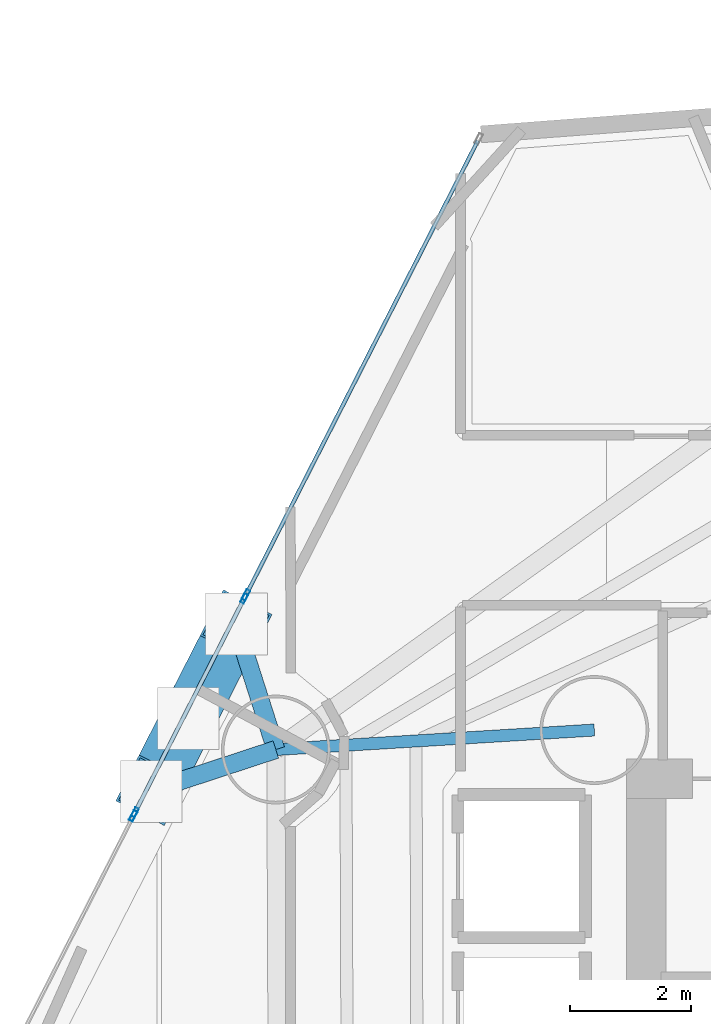
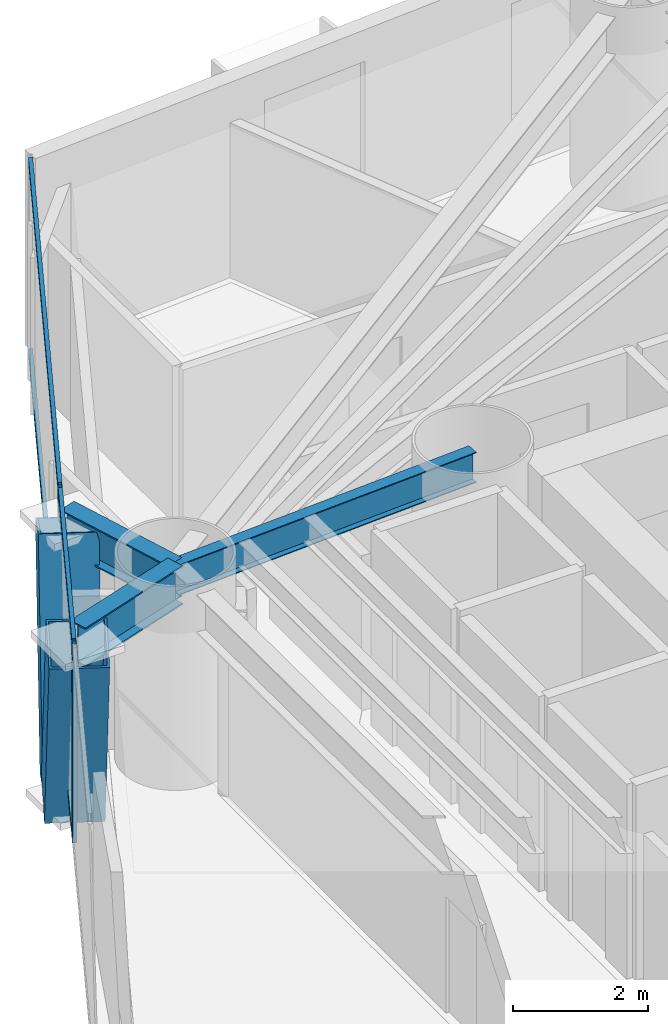
# One storey, part 7 of 23: 10 members, 3 beams, 3 elements without a shape of their own.
"""IFC4 building model written with IfcOpenShell, lengths in metres."""

from ifc_helpers import new_model, si_unit, direction, frame, origin, origin_2d, place, context, subcontext, project, spatial, hollow_rectangle, i_section, extrude, material, layer, layer_set, material_profile, profile_set, type_object, element, aggregate, save


model = new_model("IFC4")

# Units and contexts
model_context = context("Model", 3, precision=1e-05, world=origin(), true_north=direction((0.0, 1.0)))
body_context = subcontext(model_context, "Body", "Model", "MODEL_VIEW")
ifc_project = project(units=[si_unit("LENGTHUNIT", "METRE"), si_unit("AREAUNIT", "SQUARE_METRE"), si_unit("VOLUMEUNIT", "CUBIC_METRE"), si_unit("PLANEANGLEUNIT", "RADIAN"), si_unit("MASSUNIT", "GRAM", prefix="KILO")], contexts=[model_context])

# Site, building, storey
site_placement = place(None, origin())
site = spatial("IfcSite", under=ifc_project, at=site_placement, CompositionType="ELEMENT")
building_placement = place(site_placement, origin())
building = spatial("IfcBuilding", under=site, at=building_placement, Name="Qianvela Tower", CompositionType="ELEMENT")
storey_placement = place(building_placement, frame((0.0, 0.0, 33.10009765625)))
storey = spatial("IfcBuildingStorey", under=building, at=storey_placement, Name="L07", CompositionType="ELEMENT", Elevation=33.10009765625)

# Beams
ifc_material_1 = material(Name="Steel Q355B", Category="steel")
ifc_material_profile_1 = material_profile(ifc_material_1, i_section(OverallWidth=0.199951171875, OverallDepth=0.550048828125, WebThickness=0.010009765625, FlangeThickness=0.01611328125, at=origin_2d()), Name="HN550x200x10x16")
ifc_profile_set_1 = profile_set([ifc_material_profile_1], Name="Steel Q355B")
beam_type_1 = type_object("IfcBeamType", Name="BM-HN550-GIRD", PredefinedType="BEAM", material=ifc_profile_set_1)
beam_1_placement = place(storey_placement, frame((28.60009765625, 33.550048828125, 3.242919921875), z_axis=(-0.998132820146, -0.061080875465, 0.0), x_axis=(0.061080875465, -0.998132820146, 0.0)))
element("IfcBeam", 1, at=beam_1_placement, inside=storey, type_object=beam_type_1, Name="L07 Radial Primary Floor Girder 4", PredefinedType="BEAM", context=body_context, shape_type="SweptSolid", body=[
    extrude(i_section(OverallWidth=0.199951171875, OverallDepth=0.550048828125, WebThickness=0.010009765625, FlangeThickness=0.01611328125, at=origin_2d()), origin(), (0.0, 0.0, 1.0), 5.27197265625),
])
ifc_material_2 = material(Name="Steel Q355B", Category="steel")
ifc_material_profile_2 = material_profile(ifc_material_2, i_section(OverallWidth=0.300048828125, OverallDepth=0.699951171875, WebThickness=0.012939453125, FlangeThickness=0.02392578125, at=origin_2d()), Name="HN700x300x13x24")
ifc_profile_set_2 = profile_set([ifc_material_profile_2], Name="Steel Q355B")
beam_type_2 = type_object("IfcBeamType", Name="BM-HN700-SPAND", PredefinedType="SPANDREL", material=ifc_profile_set_2)
beam_2_placement = place(storey_placement, frame((23.337890625, 33.22802734375, 3.16796875), z_axis=(-0.304566435446, 0.952491095181, 0.0), x_axis=(-0.952491095181, -0.304566435446, 0.0)))
element("IfcBeam", 2, at=beam_2_placement, inside=storey, type_object=beam_type_2, Name="L07 Mega-Brace Column Tie Bracket F2-1", PredefinedType="SPANDREL", context=body_context, shape_type="SweptSolid", body=[
    extrude(i_section(OverallWidth=0.300048828125, OverallDepth=0.699951171875, WebThickness=0.012939453125, FlangeThickness=0.02392578125, at=origin_2d()), origin(), (0.0, 0.0, 1.0), 2.15869140625),
])
beam_3_placement = place(storey_placement, frame((23.337890625, 33.22802734375, 3.16796875), z_axis=(-0.950042767596, -0.31211975224, 0.0), x_axis=(0.31211975224, -0.950042767596, 0.0)))
element("IfcBeam", 3, at=beam_3_placement, inside=storey, type_object=beam_type_2, Name="L07 Mega-Brace Column Tie Bracket F2-2", PredefinedType="SPANDREL", context=body_context, shape_type="SweptSolid", body=[
    extrude(i_section(OverallWidth=0.300048828125, OverallDepth=0.699951171875, WebThickness=0.012939453125, FlangeThickness=0.02392578125, at=origin_2d()), origin(), (0.0, 0.0, 1.0), 2.158935546875),
])

# Curtain wall, members
ifc_material_3 = material(Name="Anodised Architectural Aluminium and Insulated Spandrel Panel", Category="aluminium")
ifc_layer_1 = layer(ifc_material_3, 0.179931640625)
ifc_layer_set_1 = layer_set([ifc_layer_1], Name="Anodised Architectural Aluminium and Insulated Spandrel Panel")
curtain_wall_type_1 = type_object("IfcCurtainWallType", Name="CW-BRACEBAY", PredefinedType="USERDEFINED", material=ifc_layer_set_1)
curtain_wall_1_placement = place(storey_placement, origin())
curtain_wall_1 = element("IfcCurtainWall", 4, at=curtain_wall_1_placement, inside=storey, type_object=curtain_wall_type_1, Name="L07 CW-BRACEBAY Curtain Wall 04B", ObjectType="CURTAIN_WALL_SYSTEM", PredefinedType="USERDEFINED")
ifc_material_4 = material(Name="Anodised Architectural Aluminium 6063-T6", Category="aluminium")
ifc_material_profile_3 = material_profile(ifc_material_4, hollow_rectangle(XDim=0.06494140625, YDim=0.159912109375, WallThickness=0.0048828125, at=origin_2d()), Name="ALU-MULL-65x160")
ifc_profile_set_3 = profile_set([ifc_material_profile_3], Name="Anodised Architectural Aluminium 6063-T6")
member_type_1 = type_object("IfcMemberType", Name="CW-BRACEBAY-MULL", PredefinedType="MULLION", material=ifc_profile_set_3)
member_1_placement = place(storey_placement, frame((22.814208984375, 35.722412109375, 0.0), z_axis=(0.0, 0.0, 1.0), x_axis=(0.890689286766, -0.454612576201, 0.0)))
member_1 = element("IfcMember", 5, at=member_1_placement, type_object=member_type_1, Name="CW-9 mullion 1", PredefinedType="MULLION", context=body_context, shape_type="SweptSolid", body=[
    extrude(hollow_rectangle(XDim=0.06494140625, YDim=0.159912109375, WallThickness=0.0048828125, at=origin_2d()), origin(), (0.0, 0.0, 1.0), 3.52001953125),
])
member_2_placement = place(storey_placement, frame((21.011474609375, 32.190673828125, 0.0), z_axis=(0.0, 0.0, 1.0), x_axis=(0.890689286766, -0.454612576201, 0.0)))
member_2 = element("IfcMember", 6, at=member_2_placement, type_object=member_type_1, Name="CW-9 mullion 2", PredefinedType="MULLION", context=body_context, shape_type="SweptSolid", body=[
    extrude(hollow_rectangle(XDim=0.06494140625, YDim=0.159912109375, WallThickness=0.0048828125, at=origin_2d()), origin(), (0.0, 0.0, 1.0), 3.52001953125),
])
ifc_material_5 = material(Name="Anodised Architectural Aluminium 6063-T6", Category="aluminium")
ifc_material_profile_4 = material_profile(ifc_material_5, hollow_rectangle(XDim=0.06494140625, YDim=0.1298828125, WallThickness=0.00439453125, at=origin_2d()), Name="ALU-TRAN-65x130")
ifc_profile_set_4 = profile_set([ifc_material_profile_4], Name="Anodised Architectural Aluminium 6063-T6")
member_type_2 = type_object("IfcMemberType", Name="CW-BRACEBAY-TRAN", PredefinedType="USERDEFINED", material=ifc_profile_set_4)
member_3_placement = place(storey_placement, frame((22.79931640625, 35.693359375, 0.032470703125), z_axis=(-0.454610226898, -0.890690485859, 0.0), x_axis=(0.890690485859, -0.454610226898, 0.0)))
member_3 = element("IfcMember", 7, at=member_3_placement, type_object=member_type_2, Name="CW-9 transom 1.1", ObjectType="TRANSOM", PredefinedType="USERDEFINED", context=body_context, shape_type="SweptSolid", body=[
    extrude(hollow_rectangle(XDim=0.06494140625, YDim=0.1298828125, WallThickness=0.00439453125, at=origin_2d()), origin(), (0.0, 0.0, 1.0), 3.89990234375),
])
member_4_placement = place(storey_placement, frame((22.79931640625, 35.693359375, 3.4873046875), z_axis=(-0.454610226898, -0.890690485859, 0.0), x_axis=(0.890690485859, -0.454610226898, 0.0)))
member_4 = element("IfcMember", 8, at=member_4_placement, type_object=member_type_2, Name="CW-9 transom 1.2", ObjectType="TRANSOM", PredefinedType="USERDEFINED", context=body_context, shape_type="SweptSolid", body=[
    extrude(hollow_rectangle(XDim=0.06494140625, YDim=0.1298828125, WallThickness=0.00439453125, at=origin_2d()), origin(), (0.0, 0.0, 1.0), 3.89990234375),
])
aggregate(curtain_wall_1, [member_1, member_2, member_3, member_4])

# Curtain wall, member
ifc_material_6 = material(Name="Anodised Architectural Aluminium and Low-E Glass", Category="aluminium")
ifc_layer_2 = layer(ifc_material_6, 0.179931640625)
ifc_layer_set_2 = layer_set([ifc_layer_2], Name="Anodised Architectural Aluminium and Low-E Glass")
curtain_wall_type_2 = type_object("IfcCurtainWallType", Name="CW-COLIV-Z12", PredefinedType="USERDEFINED", material=ifc_layer_set_2)
curtain_wall_2_placement = place(storey_placement, origin())
curtain_wall_2 = element("IfcCurtainWall", 9, at=curtain_wall_2_placement, inside=storey, type_object=curtain_wall_type_2, Name="L07 CW-COLIV-Z12 Curtain Wall 04A", ObjectType="CURTAIN_WALL_SYSTEM", PredefinedType="USERDEFINED")
ifc_material_7 = material(Name="Anodised Architectural Aluminium 6063-T6", Category="aluminium")
ifc_material_profile_5 = material_profile(ifc_material_7, hollow_rectangle(XDim=0.070068359375, YDim=0.179931640625, WallThickness=0.0048828125, at=origin_2d()), Name="ALU-MULL-70x180")
ifc_profile_set_5 = profile_set([ifc_material_profile_5], Name="Anodised Architectural Aluminium 6063-T6")
member_type_3 = type_object("IfcMemberType", Name="CW-COLIV-Z12-MULL", PredefinedType="MULLION", material=ifc_profile_set_5)
member_5_placement = place(storey_placement, frame((22.8447265625, 35.782470703125, 0.0), z_axis=(0.0, 0.0, 1.0), x_axis=(0.890687182856, -0.454616698215, 0.0)))
member_5 = element("IfcMember", 10, at=member_5_placement, type_object=member_type_3, Name="CW-3 mullion 2", PredefinedType="MULLION", context=body_context, shape_type="SweptSolid", body=[
    extrude(hollow_rectangle(XDim=0.070068359375, YDim=0.179931640625, WallThickness=0.0048828125, at=origin_2d()), origin(), (0.0, 0.0, 1.0), 3.52001953125),
])

curtain_wall_3_placement = place(storey_placement, origin())
curtain_wall_3 = element("IfcCurtainWall", 11, at=curtain_wall_3_placement, inside=storey, type_object=curtain_wall_type_2, Name="L07 CW-COLIV-Z12 Curtain Wall 04C", ObjectType="CURTAIN_WALL_SYSTEM", PredefinedType="USERDEFINED")
member_6_placement = place(storey_placement, frame((20.98095703125, 32.130615234375, 0.0), z_axis=(0.0, 0.0, 1.0), x_axis=(0.890687775821, -0.454615536474, 0.0)))
member_6 = element("IfcMember", 12, at=member_6_placement, type_object=member_type_3, Name="CW-3 mullion 1", PredefinedType="MULLION", context=body_context, shape_type="SweptSolid", body=[
    extrude(hollow_rectangle(XDim=0.070068359375, YDim=0.179931640625, WallThickness=0.0048828125, at=origin_2d()), origin(), (0.0, 0.0, 1.0), 3.52001953125),
])
aggregate(curtain_wall_3, [member_6])

# Member
ifc_material_8 = material(Name="Anodised Architectural Aluminium 6063-T6", Category="aluminium")
ifc_material_profile_6 = material_profile(ifc_material_8, hollow_rectangle(XDim=0.06494140625, YDim=0.1298828125, WallThickness=0.00439453125, at=origin_2d()), Name="ALU-TRAN-65x130")
ifc_profile_set_6 = profile_set([ifc_material_profile_6], Name="Anodised Architectural Aluminium 6063-T6")
member_type_4 = type_object("IfcMemberType", Name="CW-COLIV-Z12-TRAN", PredefinedType="USERDEFINED", material=ifc_profile_set_6)
member_7_placement = place(storey_placement, frame((26.675048828125, 43.28662109375, 0.032470703125), z_axis=(-0.454612637943, -0.890689255252, 0.0), x_axis=(0.890689255252, -0.454612637943, 0.0)))
member_7 = element("IfcMember", 13, at=member_7_placement, type_object=member_type_4, Name="CW-3 transom 1.1", ObjectType="TRANSOM", PredefinedType="USERDEFINED", context=body_context, shape_type="SweptSolid", body=[
    extrude(hollow_rectangle(XDim=0.06494140625, YDim=0.1298828125, WallThickness=0.00439453125, at=origin_2d()), origin(), (0.0, 0.0, 1.0), 8.39013671875),
])

member_8_placement = place(storey_placement, frame((26.675048828125, 43.28662109375, 3.4873046875), z_axis=(-0.454612637943, -0.890689255252, 0.0), x_axis=(0.890689255252, -0.454612637943, 0.0)))
member_8 = element("IfcMember", 14, at=member_8_placement, type_object=member_type_4, Name="CW-3 transom 1.2", ObjectType="TRANSOM", PredefinedType="USERDEFINED", context=body_context, shape_type="SweptSolid", body=[
    extrude(hollow_rectangle(XDim=0.06494140625, YDim=0.1298828125, WallThickness=0.00439453125, at=origin_2d()), origin(), (0.0, 0.0, 1.0), 8.39013671875),
])

aggregate(curtain_wall_2, [member_5, member_7, member_8])

# Members
ifc_material_9 = material(Name="Steel Q420GJC", Category="steel")
ifc_material_profile_7 = material_profile(ifc_material_9, hollow_rectangle(XDim=0.89990234375, YDim=0.89990234375, WallThickness=0.035888671875, at=origin_2d()), Name="MBOX-900x900x36")
ifc_profile_set_7 = profile_set([ifc_material_profile_7], Name="Steel Q420GJC")
member_type_5 = type_object("IfcMemberType", Name="MBR-MBRACE-900", PredefinedType="BRACE", material=ifc_profile_set_7)
for number, where, z_axis, x_axis, name in (
    (15, (22.083740234375, 34.115234375, -0.531982421875), (0.151988373027, 0.297757909188, 0.942464727181), (-0.890675789123, 0.454639020179, 0.0), "L07 Tier 1 Exterior Mega-Brace F2A"),
    (16, (21.883544921875, 33.723388671875, -0.531982421875), (-0.151985558431, -0.297814582376, 0.94244727415), (0.890714229797, -0.454563703826, 0.0), "L07 Tier 1 Exterior Mega-Brace F2B"),
):
    element("IfcMember", number, at=place(storey_placement, frame(where, z_axis=z_axis, x_axis=x_axis)), inside=storey, type_object=member_type_5, Name=name, PredefinedType="BRACE", context=body_context, shape_type="SweptSolid", body=[
        extrude(hollow_rectangle(XDim=0.89990234375, YDim=0.89990234375, WallThickness=0.035888671875, at=origin_2d()), origin(), (0.0, 0.0, 1.0), 3.92578125),
    ])

save(model, "model.ifc")
